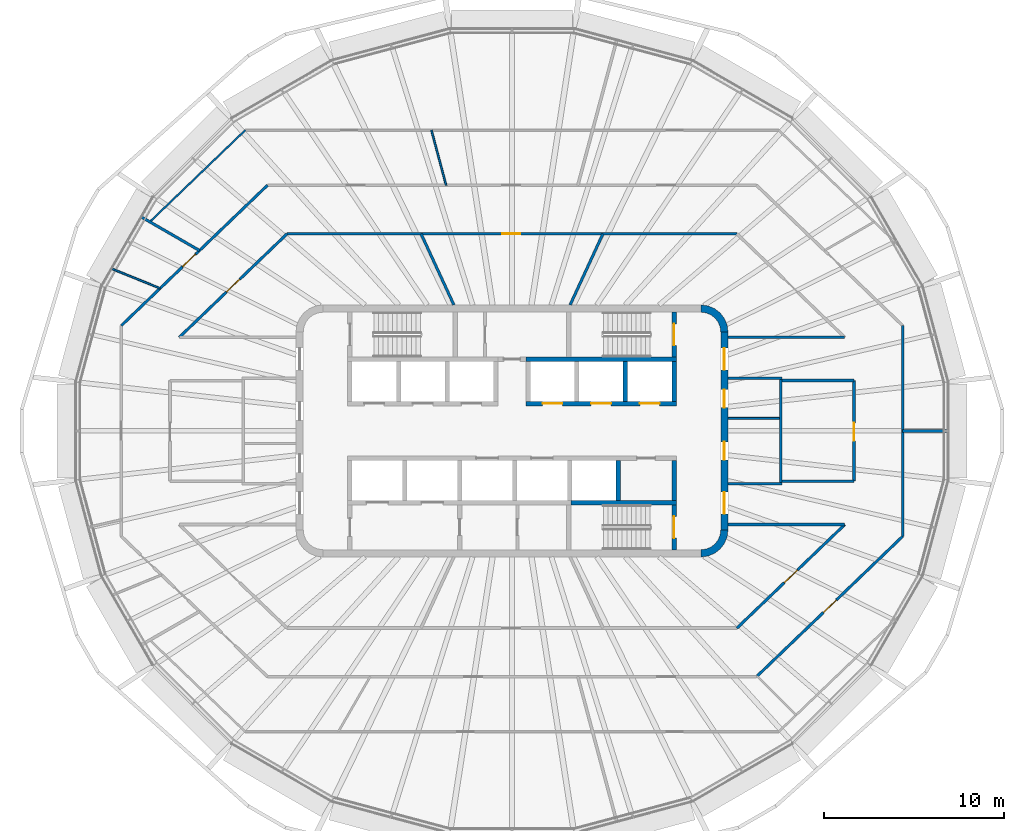
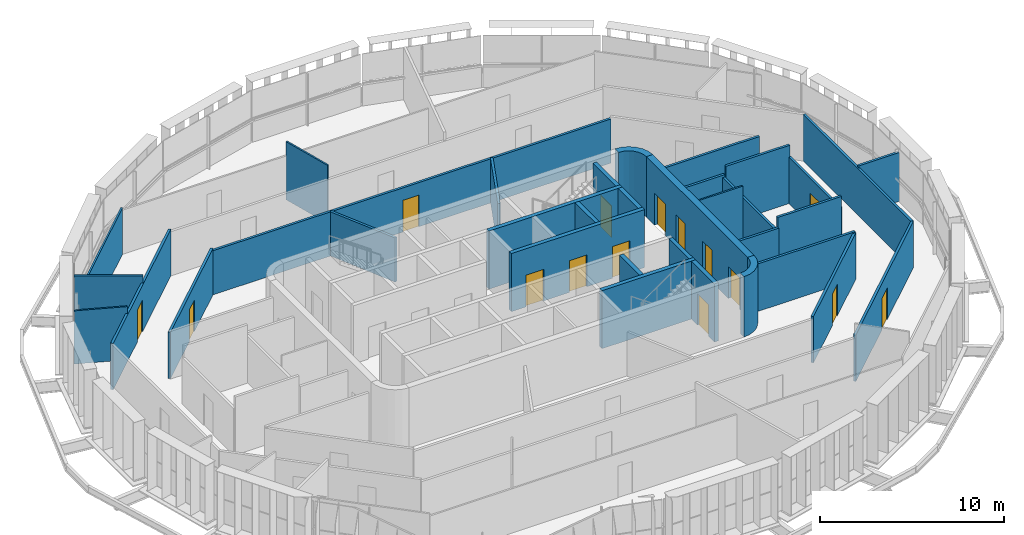
# One storey, part 10 of 18: 34 walls, 15 doors, 15 openings.
"""IFC4 building model written with IfcOpenShell, lengths in metres."""

from ifc_helpers import new_model, si_unit, direction, frame, frame_2d, origin, place, context, subcontext, project, spatial, polyline, rectangle, outline, extrude, material, layer, layer_set, type_object, element, fill, save


model = new_model("IFC4")

# Units and contexts
model_context = context("Model", 3, precision=1e-05, world=origin(), true_north=direction((0.0, 1.0)))
body_context = subcontext(model_context, "Body", "Model", "MODEL_VIEW")
ifc_project = project(units=[si_unit("LENGTHUNIT", "METRE"), si_unit("AREAUNIT", "SQUARE_METRE"), si_unit("VOLUMEUNIT", "CUBIC_METRE"), si_unit("PLANEANGLEUNIT", "RADIAN"), si_unit("MASSUNIT", "GRAM", prefix="KILO")], contexts=[model_context])

# Site, building, storey
site_placement = place(None, origin())
site = spatial("IfcSite", under=ifc_project, at=site_placement, CompositionType="ELEMENT")
building_placement = place(site_placement, origin())
building = spatial("IfcBuilding", under=site, at=building_placement, Name="Sahrelin Media Tower", CompositionType="ELEMENT")
storey_placement = place(building_placement, frame((0.0, 0.0, 320.39990234375)))
storey = spatial("IfcBuildingStorey", under=building, at=storey_placement, Name="L71", CompositionType="ELEMENT", Elevation=320.39990234375)

# Wall, openings, doors
ifc_material_1 = material(Name="Concrete C60/75", Category="concrete")
ifc_layer_1 = layer(ifc_material_1, 0.39990234375)
ifc_layer_set_1 = layer_set([ifc_layer_1], Name="Core wall 400")
wall_type_1 = type_object("IfcWallType", Name="Core wall 400", PredefinedType="SHEAR", material=ifc_layer_set_1)
wall_1_placement = place(storey_placement, frame((11.800048828125, -5.5, 0.0), z_axis=(0.0, 0.0, 1.0), x_axis=(0.0, 1.0, 0.0)))
wall_1 = element("IfcWall", 1, at=wall_1_placement, inside=storey, type_object=wall_type_1, Name="Core wall E L71", PredefinedType="SHEAR", context=body_context, shape_type="SweptSolid", body=[
    extrude(rectangle(XDim=11.0, YDim=0.39990234375, at=frame_2d((5.5, 0.0))), origin(), (0.0, 0.0, 1.0), 4.0),
])
opening_1_placement = place(wall_1_placement, frame((3.89990234375, 0.0, 0.0)))
opening_1 = element("IfcOpeningElement", 2, at=opening_1_placement, cuts=wall_1, Name="Opening L71-D12", PredefinedType="OPENING", context=body_context, shape_type="SweptSolid", body=[
    extrude(rectangle(XDim=1.0, YDim=2.10009765625, at=frame_2d((0.5, 1.050048828125))), frame((0.0, 0.199951171875, 0.0), z_axis=(0.0, -1.0, 0.0), x_axis=(1.0, 0.0, 0.0)), (0.0, 0.0, 1.0), 0.39990234375),
])
opening_2_placement = place(wall_1_placement, frame((6.800048828125, 0.0, 0.0)))
opening_2 = element("IfcOpeningElement", 3, at=opening_2_placement, cuts=wall_1, Name="Opening L71-D13", PredefinedType="OPENING", context=body_context, shape_type="SweptSolid", body=[
    extrude(rectangle(XDim=1.0, YDim=2.10009765625, at=frame_2d((0.5, 1.050048828125))), frame((0.0, 0.199951171875, 0.0), z_axis=(0.0, -1.0, 0.0), x_axis=(1.0, 0.0, 0.0)), (0.0, 0.0, 1.0), 0.39990234375),
])
opening_3_placement = place(wall_1_placement, frame((0.89990234375, 0.0, 0.0)))
opening_3 = element("IfcOpeningElement", 4, at=opening_3_placement, cuts=wall_1, Name="Opening L71-D16", PredefinedType="OPENING", context=body_context, shape_type="SweptSolid", body=[
    extrude(rectangle(XDim=1.199951171875, YDim=2.10009765625, at=frame_2d((0.60009765625, 1.050048828125))), frame((0.0, 0.199951171875, 0.0), z_axis=(0.0, -1.0, 0.0), x_axis=(1.0, 0.0, 0.0)), (0.0, 0.0, 1.0), 0.39990234375),
])
opening_4_placement = place(wall_1_placement, frame((8.89990234375, 0.0, 0.0)))
opening_4 = element("IfcOpeningElement", 5, at=opening_4_placement, cuts=wall_1, Name="Opening L71-D17", PredefinedType="OPENING", context=body_context, shape_type="SweptSolid", body=[
    extrude(rectangle(XDim=1.199951171875, YDim=2.10009765625, at=frame_2d((0.60009765625, 1.050048828125))), frame((0.0, 0.199951171875, 0.0), z_axis=(0.0, -1.0, 0.0), x_axis=(1.0, 0.0, 0.0)), (0.0, 0.0, 1.0), 0.39990234375),
])
ifc_material_2 = material(Name="Steel fire door leaf", Category="steel")
door_type_1 = type_object("IfcDoorType", Name="Fire door 1000 x 2100 EI 60", OperationType="NOTDEFINED", PredefinedType="DOOR", material=ifc_material_2)
door_1_placement = place(opening_1_placement, origin())
door_1 = element("IfcDoor", 6, at=door_1_placement, inside=storey, type_object=door_type_1, Name="Core room door", OperationType="SINGLE_SWING_RIGHT", OverallHeight=2.10009765625, OverallWidth=1.0, PredefinedType="DOOR", context=body_context, shape_type="SweptSolid", body=[
    extrude(rectangle(XDim=1.0, YDim=2.10009765625, at=frame_2d((0.5, 1.050048828125))), frame((0.0, 0.02490234375, 0.0), z_axis=(0.0, -1.0, 0.0), x_axis=(1.0, 0.0, 0.0)), (0.0, 0.0, 1.0), 0.050048828125),
])
fill(opening_1, door_1)
door_2_placement = place(opening_2_placement, origin())
door_2 = element("IfcDoor", 7, at=door_2_placement, inside=storey, type_object=door_type_1, Name="Core room door", OperationType="SINGLE_SWING_RIGHT", OverallHeight=2.10009765625, OverallWidth=1.0, PredefinedType="DOOR", context=body_context, shape_type="SweptSolid", body=[
    extrude(rectangle(XDim=1.0, YDim=2.10009765625, at=frame_2d((0.5, 1.050048828125))), frame((0.0, 0.02490234375, 0.0), z_axis=(0.0, -1.0, 0.0), x_axis=(1.0, 0.0, 0.0)), (0.0, 0.0, 1.0), 0.050048828125),
])
fill(opening_2, door_2)
door_type_2 = type_object("IfcDoorType", Name="Lobby door 1200 x 2100 EI 60", OperationType="NOTDEFINED", PredefinedType="DOOR", material=ifc_material_2)
door_3_placement = place(opening_3_placement, origin())
door_3 = element("IfcDoor", 8, at=door_3_placement, inside=storey, type_object=door_type_2, Name="Lobby door", OperationType="SINGLE_SWING_LEFT", OverallHeight=2.10009765625, OverallWidth=1.199951171875, PredefinedType="DOOR", context=body_context, shape_type="SweptSolid", body=[
    extrude(rectangle(XDim=1.199951171875, YDim=2.10009765625, at=frame_2d((0.60009765625, 1.050048828125))), frame((0.0, 0.02490234375, 0.0), z_axis=(0.0, -1.0, 0.0), x_axis=(1.0, 0.0, 0.0)), (0.0, 0.0, 1.0), 0.050048828125),
])
fill(opening_3, door_3)
door_4_placement = place(opening_4_placement, origin())
door_4 = element("IfcDoor", 9, at=door_4_placement, inside=storey, type_object=door_type_2, Name="Lobby door", OperationType="SINGLE_SWING_LEFT", OverallHeight=2.10009765625, OverallWidth=1.199951171875, PredefinedType="DOOR", context=body_context, shape_type="SweptSolid", body=[
    extrude(rectangle(XDim=1.199951171875, YDim=2.10009765625, at=frame_2d((0.60009765625, 1.050048828125))), frame((0.0, 0.02490234375, 0.0), z_axis=(0.0, -1.0, 0.0), x_axis=(1.0, 0.0, 0.0)), (0.0, 0.0, 1.0), 0.050048828125),
])
fill(opening_4, door_4)

# Walls
placement = place(storey_placement, origin())
element("IfcWall", 10, at=placement, inside=storey, type_object=wall_type_1, Name="Core wall corner NE L71", PredefinedType="SHEAR", context=body_context, shape_type="SweptSolid", body=[
    extrude(outline(polyline([(10.5, 7.0), (10.5, 6.596435546875), (10.78369140625, 6.55908203125), (11.04833984375, 6.44970703125), (11.275390625, 6.275390625), (11.44970703125, 6.04833984375), (11.55908203125, 5.78369140625), (11.596435546875, 5.5), (12.0, 5.5), (11.948974609375, 5.88818359375), (11.799072265625, 6.25), (11.560791015625, 6.560791015625), (11.25, 6.799072265625), (10.88818359375, 6.948974609375), (10.5, 7.0)])), origin(), (0.0, 0.0, 1.0), 4.0),
])
element("IfcWall", 11, at=placement, inside=storey, type_object=wall_type_1, Name="Core wall corner SE L71", PredefinedType="SHEAR", context=body_context, shape_type="SweptSolid", body=[
    extrude(outline(polyline([(12.0, -5.5), (11.596435546875, -5.5), (11.55908203125, -5.78369140625), (11.44970703125, -6.04833984375), (11.275390625, -6.275390625), (11.04833984375, -6.44970703125), (10.78369140625, -6.55908203125), (10.5, -6.596435546875), (10.5, -7.0), (10.88818359375, -6.948974609375), (11.25, -6.799072265625), (11.560791015625, -6.560791015625), (11.799072265625, -6.25), (11.948974609375, -5.88818359375), (12.0, -5.5)])), origin(), (0.0, 0.0, 1.0), 4.0),
])
ifc_material_3 = material(Name="Fire-rated gypsum board partition")
ifc_layer_2 = layer(ifc_material_3, 0.10009765625)
ifc_layer_set_2 = layer_set([ifc_layer_2], Name="Fire-rated partition 100")
wall_type_2 = type_object("IfcWallType", Name="Fire-rated partition 100", PredefinedType="PARTITIONING", material=ifc_layer_set_2)
wall_4_placement = place(storey_placement, frame((12.0, 0.699951171875, 0.0), z_axis=(0.0, 0.0, 1.0), x_axis=(1.0, 0.0, 0.0)))
element("IfcWall", 12, at=wall_4_placement, inside=storey, type_object=wall_type_2, Name="Core room partition", PredefinedType="PARTITIONING", context=body_context, shape_type="SweptSolid", body=[
    extrude(rectangle(XDim=2.85009765625, YDim=0.10009765625, at=frame_2d((1.425048828125, 0.0))), origin(), (0.0, 0.0, 1.0), 3.85009765625),
])
ifc_layer_3 = layer(ifc_material_3, 0.14990234375)
ifc_layer_set_3 = layer_set([ifc_layer_3], Name="Fire-rated partition 150")
wall_type_3 = type_object("IfcWallType", Name="Fire-rated partition 150", PredefinedType="PARTITIONING", material=ifc_layer_set_3)
wall_5_placement = place(storey_placement, frame((14.925048828125, -2.85009765625, 0.0), z_axis=(0.0, 0.0, 1.0), x_axis=(0.0, 1.0, 0.0)))
element("IfcWall", 13, at=wall_5_placement, inside=storey, type_object=wall_type_3, Name="Core room fire partition", PredefinedType="PARTITIONING", context=body_context, shape_type="SweptSolid", body=[
    extrude(rectangle(XDim=5.7001953125, YDim=0.14990234375, at=frame_2d((2.85009765625, 0.0))), origin(), (0.0, 0.0, 1.0), 3.076171875),
])
for number, where, z_axis, x_axis, name in (
    (14, (12.0, 2.925048828125, 0.0), (0.0, 0.0, 1.0), (1.0, 0.0, 0.0), "Core room fire partition"),
    (15, (12.0, -2.925048828125, 0.0), (0.0, 0.0, 1.0), (1.0, 0.0, 0.0), "Core room fire partition"),
):
    element("IfcWall", number, at=place(storey_placement, frame(where, z_axis=z_axis, x_axis=x_axis)), inside=storey, type_object=wall_type_3, Name=name, PredefinedType="PARTITIONING", context=body_context, shape_type="SweptSolid", body=[
        extrude(rectangle(XDim=3.0, YDim=0.14990234375, at=frame_2d((1.5, 0.0))), origin(), (0.0, 0.0, 1.0), 3.2275390625),
    ])
wall_6_placement = place(storey_placement, frame((-5.050048828125, 10.948974609375, 0.0), z_axis=(0.0, 0.0, 1.0), x_axis=(0.418762657012, -0.908095720226, 0.0)))
element("IfcWall", 16, at=wall_6_placement, inside=storey, type_object=wall_type_3, Name="Wall", PredefinedType="PARTITIONING", context=body_context, shape_type="SweptSolid", body=[
    extrude(rectangle(XDim=4.3486328125, YDim=0.14990234375, at=frame_2d((2.17431640625, 0.0))), origin(), (0.0, 0.0, 1.0), 2.927001953125),
])
wall_7_placement = place(storey_placement, frame((-20.597900390625, 11.89208984375, 0.0), z_axis=(0.0, 0.0, 1.0), x_axis=(0.866210589025, -0.499679112493, 0.0)))
element("IfcWall", 17, at=wall_7_placement, inside=storey, type_object=wall_type_3, Name="Wall", PredefinedType="PARTITIONING", context=body_context, shape_type="SweptSolid", body=[
    extrude(rectangle(XDim=3.73876953125, YDim=0.14990234375, at=frame_2d((1.869384765625, 0.0))), origin(), (0.0, 0.0, 1.0), 3.526611328125),
])
wall_8_placement = place(storey_placement, frame((12.0, -5.199951171875, 0.0), z_axis=(0.0, 0.0, 1.0), x_axis=(1.0, 0.0, 0.0)))
element("IfcWall", 18, at=wall_8_placement, inside=storey, type_object=wall_type_3, Name="Wall", PredefinedType="PARTITIONING", context=body_context, shape_type="SweptSolid", body=[
    extrude(rectangle(XDim=6.48388671875, YDim=0.14990234375, at=frame_2d((3.241943359375, 0.0))), origin(), (0.0, 0.0, 1.0), 3.152099609375),
])
wall_9_placement = place(storey_placement, frame((15.0, -2.800048828125, 0.0), z_axis=(0.0, 0.0, 1.0), x_axis=(1.0, 0.0, 0.0)))
element("IfcWall", 19, at=wall_9_placement, inside=storey, type_object=wall_type_3, Name="Wall", PredefinedType="PARTITIONING", context=body_context, shape_type="SweptSolid", body=[
    extrude(rectangle(XDim=4.0, YDim=0.14990234375, at=frame_2d((2.0, 0.0))), origin(), (0.0, 0.0, 1.0), 3.85009765625),
])
wall_10_placement = place(storey_placement, frame((21.699951171875, 0.0, 0.0), z_axis=(0.0, 0.0, 1.0), x_axis=(1.0, 0.0, 0.0)))
element("IfcWall", 20, at=wall_10_placement, inside=storey, type_object=wall_type_3, Name="Wall", PredefinedType="PARTITIONING", context=body_context, shape_type="SweptSolid", body=[
    extrude(rectangle(XDim=2.54296875, YDim=0.14990234375, at=frame_2d((1.271484375, 0.0))), origin(), (0.0, 0.0, 1.0), 3.2275390625),
])
wall_11_placement = place(storey_placement, frame((15.0, 2.800048828125, 0.0), z_axis=(0.0, 0.0, 1.0), x_axis=(1.0, 0.0, 0.0)))
element("IfcWall", 21, at=wall_11_placement, inside=storey, type_object=wall_type_3, Name="Wall", PredefinedType="PARTITIONING", context=body_context, shape_type="SweptSolid", body=[
    extrude(rectangle(XDim=4.0, YDim=0.14990234375, at=frame_2d((2.0, 0.0))), origin(), (0.0, 0.0, 1.0), 3.85009765625),
])
wall_12_placement = place(storey_placement, frame((12.0, 5.199951171875, 0.0), z_axis=(0.0, 0.0, 1.0), x_axis=(1.0, 0.0, 0.0)))
element("IfcWall", 22, at=wall_12_placement, inside=storey, type_object=wall_type_3, Name="Wall", PredefinedType="PARTITIONING", context=body_context, shape_type="SweptSolid", body=[
    extrude(rectangle(XDim=6.48388671875, YDim=0.14990234375, at=frame_2d((3.241943359375, 0.0))), origin(), (0.0, 0.0, 1.0), 3.152099609375),
])

# Wall, opening, door
wall_13_placement = place(storey_placement, frame((-12.498046875, 10.948974609375, 0.0), z_axis=(0.0, 0.0, 1.0), x_axis=(1.0, 0.0, 0.0)))
wall_13 = element("IfcWall", 23, at=wall_13_placement, inside=storey, type_object=wall_type_3, Name="Wall", PredefinedType="PARTITIONING", context=body_context, shape_type="SweptSolid", body=[
    extrude(rectangle(XDim=24.99609375, YDim=0.14990234375, at=frame_2d((12.498046875, 0.0))), origin(), (0.0, 0.0, 1.0), 2.927001953125),
])
opening_5_placement = place(wall_13_placement, frame((11.947998046875, 0.0, 0.0)))
opening_5 = element("IfcOpeningElement", 24, at=opening_5_placement, cuts=wall_13, Name="Opening L71-D23", PredefinedType="OPENING", context=body_context, shape_type="SweptSolid", body=[
    extrude(rectangle(XDim=1.0, YDim=2.10009765625, at=frame_2d((0.5, 1.050048828125))), frame((0.0, 0.074951171875, 0.0), z_axis=(0.0, -1.0, 0.0), x_axis=(1.0, 0.0, 0.0)), (0.0, 0.0, 1.0), 0.14990234375),
])
door_5_placement = place(opening_5_placement, origin())
door_5 = element("IfcDoor", 25, at=door_5_placement, inside=storey, type_object=door_type_1, Name="Fire door", OperationType="SINGLE_SWING_LEFT", OverallHeight=2.10009765625, OverallWidth=1.0, PredefinedType="DOOR", context=body_context, shape_type="SweptSolid", body=[
    extrude(rectangle(XDim=1.0, YDim=2.10009765625, at=frame_2d((0.5, 1.050048828125))), frame((0.0, 0.02490234375, 0.0), z_axis=(0.0, -1.0, 0.0), x_axis=(1.0, 0.0, 0.0)), (0.0, 0.0, 1.0), 0.050048828125),
])
fill(opening_5, door_5)

wall_14_placement = place(storey_placement, frame((13.616943359375, -13.616943359375, 0.0), z_axis=(0.0, 0.0, 1.0), x_axis=(0.721264539741, 0.692659702677, 0.0)))
wall_14 = element("IfcWall", 26, at=wall_14_placement, inside=storey, type_object=wall_type_3, Name="Wall", PredefinedType="PARTITIONING", context=body_context, shape_type="SweptSolid", body=[
    extrude(rectangle(XDim=11.206298828125, YDim=0.14990234375, at=frame_2d((5.60302734375, 0.0))), origin(), (0.0, 0.0, 1.0), 3.076171875),
])
opening_6_placement = place(wall_14_placement, frame((5.10400390625, 0.0, 0.0)))
opening_6 = element("IfcOpeningElement", 27, at=opening_6_placement, cuts=wall_14, Name="Opening L71-D40", PredefinedType="OPENING", context=body_context, shape_type="SweptSolid", body=[
    extrude(rectangle(XDim=1.0, YDim=2.10009765625, at=frame_2d((0.5, 1.050048828125))), frame((0.0, 0.074951171875, 0.0), z_axis=(0.0, -1.0, 0.0), x_axis=(1.0, 0.0, 0.0)), (0.0, 0.0, 1.0), 0.14990234375),
])
door_6_placement = place(opening_6_placement, origin())
door_6 = element("IfcDoor", 28, at=door_6_placement, inside=storey, type_object=door_type_1, Name="Fire door", OperationType="SINGLE_SWING_LEFT", OverallHeight=2.10009765625, OverallWidth=1.0, PredefinedType="DOOR", context=body_context, shape_type="SweptSolid", body=[
    extrude(rectangle(XDim=1.0, YDim=2.10009765625, at=frame_2d((0.5, 1.050048828125))), frame((0.0, 0.02490234375, 0.0), z_axis=(0.0, -1.0, 0.0), x_axis=(1.0, 0.0, 0.0)), (0.0, 0.0, 1.0), 0.050048828125),
])
fill(opening_6, door_6)

wall_15_placement = place(storey_placement, frame((12.498046875, -10.948974609375, 0.0), z_axis=(0.0, 0.0, 1.0), x_axis=(0.721258572397, 0.692665916401, 0.0)))
wall_15 = element("IfcWall", 29, at=wall_15_placement, inside=storey, type_object=wall_type_3, Name="Wall", PredefinedType="PARTITIONING", context=body_context, shape_type="SweptSolid", body=[
    extrude(rectangle(XDim=8.299560546875, YDim=0.14990234375, at=frame_2d((4.14990234375, 0.0))), origin(), (0.0, 0.0, 1.0), 3.076171875),
])
opening_7_placement = place(wall_15_placement, frame((3.6494140625, 0.0, 0.0)))
opening_7 = element("IfcOpeningElement", 30, at=opening_7_placement, cuts=wall_15, Name="Opening L71-D20", PredefinedType="OPENING", context=body_context, shape_type="SweptSolid", body=[
    extrude(rectangle(XDim=1.0, YDim=2.10009765625, at=frame_2d((0.5, 1.050048828125))), frame((0.0, 0.074951171875, 0.0), z_axis=(0.0, -1.0, 0.0), x_axis=(1.0, 0.0, 0.0)), (0.0, 0.0, 1.0), 0.14990234375),
])
door_7_placement = place(opening_7_placement, origin())
door_7 = element("IfcDoor", 31, at=door_7_placement, inside=storey, type_object=door_type_1, Name="Fire door", OperationType="SINGLE_SWING_LEFT", OverallHeight=2.10009765625, OverallWidth=1.0, PredefinedType="DOOR", context=body_context, shape_type="SweptSolid", body=[
    extrude(rectangle(XDim=1.0, YDim=2.10009765625, at=frame_2d((0.5, 1.050048828125))), frame((0.0, 0.02490234375, 0.0), z_axis=(0.0, -1.0, 0.0), x_axis=(1.0, 0.0, 0.0)), (0.0, 0.0, 1.0), 0.050048828125),
])
fill(opening_7, door_7)

wall_16_placement = place(storey_placement, frame((-18.48388671875, 5.199951171875, 0.0), z_axis=(0.0, 0.0, 1.0), x_axis=(0.721243876402, 0.692681218709, 0.0)))
wall_16 = element("IfcWall", 32, at=wall_16_placement, inside=storey, type_object=wall_type_3, Name="Wall", PredefinedType="PARTITIONING", context=body_context, shape_type="SweptSolid", body=[
    extrude(rectangle(XDim=8.299560546875, YDim=0.14990234375, at=frame_2d((4.14990234375, 0.0))), origin(), (0.0, 0.0, 1.0), 3.076171875),
])
opening_8_placement = place(wall_16_placement, frame((3.650146484375, 0.0, 0.0)))
opening_8 = element("IfcOpeningElement", 33, at=opening_8_placement, cuts=wall_16, Name="Opening L71-D24", PredefinedType="OPENING", context=body_context, shape_type="SweptSolid", body=[
    extrude(rectangle(XDim=1.0, YDim=2.10009765625, at=frame_2d((0.5, 1.050048828125))), frame((0.0, 0.074951171875, 0.0), z_axis=(0.0, -1.0, 0.0), x_axis=(1.0, 0.0, 0.0)), (0.0, 0.0, 1.0), 0.14990234375),
])
door_8_placement = place(opening_8_placement, origin())
door_8 = element("IfcDoor", 34, at=door_8_placement, inside=storey, type_object=door_type_1, Name="Fire door", OperationType="SINGLE_SWING_RIGHT", OverallHeight=2.10009765625, OverallWidth=1.0, PredefinedType="DOOR", context=body_context, shape_type="SweptSolid", body=[
    extrude(rectangle(XDim=1.0, YDim=2.10009765625, at=frame_2d((0.5, 1.050048828125))), frame((0.0, 0.02490234375, 0.0), z_axis=(0.0, -1.0, 0.0), x_axis=(1.0, 0.0, 0.0)), (0.0, 0.0, 1.0), 0.050048828125),
])
fill(opening_8, door_8)

wall_17_placement = place(storey_placement, frame((-21.699951171875, 5.85498046875, 0.0), z_axis=(0.0, 0.0, 1.0), x_axis=(0.721260272646, 0.692664145963, 0.0)))
wall_17 = element("IfcWall", 35, at=wall_17_placement, inside=storey, type_object=wall_type_3, Name="Wall", PredefinedType="PARTITIONING", context=body_context, shape_type="SweptSolid", body=[
    extrude(rectangle(XDim=11.25244140625, YDim=0.14990234375, at=frame_2d((5.626220703125, 0.0))), origin(), (0.0, 0.0, 1.0), 3.076171875),
])
opening_9_placement = place(wall_17_placement, frame((4.722900390625, 0.0, 0.0)))
opening_9 = element("IfcOpeningElement", 36, at=opening_9_placement, cuts=wall_17, Name="Opening L71-D32", PredefinedType="OPENING", context=body_context, shape_type="SweptSolid", body=[
    extrude(rectangle(XDim=1.0, YDim=2.10009765625, at=frame_2d((0.5, 1.050048828125))), frame((0.0, 0.074951171875, 0.0), z_axis=(0.0, -1.0, 0.0), x_axis=(1.0, 0.0, 0.0)), (0.0, 0.0, 1.0), 0.14990234375),
])
door_9_placement = place(opening_9_placement, origin())
door_9 = element("IfcDoor", 37, at=door_9_placement, inside=storey, type_object=door_type_1, Name="Fire door", OperationType="SINGLE_SWING_LEFT", OverallHeight=2.10009765625, OverallWidth=1.0, PredefinedType="DOOR", context=body_context, shape_type="SweptSolid", body=[
    extrude(rectangle(XDim=1.0, YDim=2.10009765625, at=frame_2d((0.5, 1.050048828125))), frame((0.0, 0.02490234375, 0.0), z_axis=(0.0, -1.0, 0.0), x_axis=(1.0, 0.0, 0.0)), (0.0, 0.0, 1.0), 0.050048828125),
])
fill(opening_9, door_9)

# Walls
wall_18_placement = place(storey_placement, frame((3.22900390625, 7.0, 0.0), z_axis=(0.0, 0.0, 1.0), x_axis=(0.418762657012, 0.908095720226, 0.0)))
element("IfcWall", 38, at=wall_18_placement, inside=storey, type_object=wall_type_3, Name="Wall", PredefinedType="PARTITIONING", context=body_context, shape_type="SweptSolid", body=[
    extrude(rectangle(XDim=4.3486328125, YDim=0.14990234375, at=frame_2d((2.17431640625, 0.0))), origin(), (0.0, 0.0, 1.0), 2.927001953125),
])
wall_19_placement = place(storey_placement, frame((21.699951171875, -5.85498046875, 0.0), z_axis=(0.0, 0.0, 1.0), x_axis=(0.0, 1.0, 0.0)))
element("IfcWall", 39, at=wall_19_placement, inside=storey, type_object=wall_type_3, Name="Wall", PredefinedType="PARTITIONING", context=body_context, shape_type="SweptSolid", body=[
    extrude(rectangle(XDim=11.7099609375, YDim=0.14990234375, at=frame_2d((5.85498046875, 0.0))), origin(), (0.0, 0.0, 1.0), 3.076171875),
])

# Wall, opening, door
wall_20_placement = place(storey_placement, frame((19.0, -2.7900390625, 0.0), z_axis=(0.0, 0.0, 1.0), x_axis=(0.0, 1.0, 0.0)))
wall_20 = element("IfcWall", 40, at=wall_20_placement, inside=storey, type_object=wall_type_3, Name="Wall", PredefinedType="PARTITIONING", context=body_context, shape_type="SweptSolid", body=[
    extrude(rectangle(XDim=5.580078125, YDim=0.14990234375, at=frame_2d((2.7900390625, 0.0))), origin(), (0.0, 0.0, 1.0), 3.076171875),
])
opening_10_placement = place(wall_20_placement, frame((2.23876953125, 0.0, 0.0)))
opening_10 = element("IfcOpeningElement", 41, at=opening_10_placement, cuts=wall_20, Name="Opening L71-D21", PredefinedType="OPENING", context=body_context, shape_type="SweptSolid", body=[
    extrude(rectangle(XDim=1.0, YDim=2.10009765625, at=frame_2d((0.5, 1.050048828125))), frame((0.0, 0.074951171875, 0.0), z_axis=(0.0, -1.0, 0.0), x_axis=(1.0, 0.0, 0.0)), (0.0, 0.0, 1.0), 0.14990234375),
])
door_10_placement = place(opening_10_placement, origin())
door_10 = element("IfcDoor", 42, at=door_10_placement, inside=storey, type_object=door_type_1, Name="Fire door", OperationType="SINGLE_SWING_RIGHT", OverallHeight=2.10009765625, OverallWidth=1.0, PredefinedType="DOOR", context=body_context, shape_type="SweptSolid", body=[
    extrude(rectangle(XDim=1.0, YDim=2.10009765625, at=frame_2d((0.5, 1.050048828125))), frame((0.0, 0.02490234375, 0.0), z_axis=(0.0, -1.0, 0.0), x_axis=(1.0, 0.0, 0.0)), (0.0, 0.0, 1.0), 0.050048828125),
])
fill(opening_10, door_10)

# Wall, openings, doors
ifc_layer_4 = layer(ifc_material_1, 0.25)
ifc_layer_set_4 = layer_set([ifc_layer_4], Name="Lift shaft wall 250")
wall_type_4 = type_object("IfcWallType", Name="Lift shaft wall 250", PredefinedType="SOLIDWALL", material=ifc_layer_set_4)
wall_21_placement = place(storey_placement, frame((0.77490234375, 1.52490234375, 0.0), z_axis=(0.0, 0.0, 1.0), x_axis=(1.0, 0.0, 0.0)))
wall_21 = element("IfcWall", 43, at=wall_21_placement, inside=storey, type_object=wall_type_4, Name="Lift shaft wall", PredefinedType="SOLIDWALL", context=body_context, shape_type="SweptSolid", body=[
    extrude(rectangle(XDim=8.35009765625, YDim=0.25, at=frame_2d((4.175048828125, 0.0))), origin(), (0.0, 0.0, 1.0), 3.85009765625),
])
opening_11_placement = place(wall_21_placement, frame((0.925048828125, 0.0, 0.0)))
opening_11 = element("IfcOpeningElement", 44, at=opening_11_placement, cuts=wall_21, Name="Opening L71-LD-HR4", PredefinedType="OPENING", context=body_context, shape_type="SweptSolid", body=[
    extrude(rectangle(XDim=1.10009765625, YDim=2.10009765625, at=frame_2d((0.550048828125, 1.050048828125))), frame((0.0, 0.125, 0.0), z_axis=(0.0, -1.0, 0.0), x_axis=(1.0, 0.0, 0.0)), (0.0, 0.0, 1.0), 0.25),
])
opening_12_placement = place(wall_21_placement, frame((3.625, 0.0, 0.0)))
opening_12 = element("IfcOpeningElement", 45, at=opening_12_placement, cuts=wall_21, Name="Opening L71-LD-HR5", PredefinedType="OPENING", context=body_context, shape_type="SweptSolid", body=[
    extrude(rectangle(XDim=1.10009765625, YDim=2.10009765625, at=frame_2d((0.550048828125, 1.050048828125))), frame((0.0, 0.125, 0.0), z_axis=(0.0, -1.0, 0.0), x_axis=(1.0, 0.0, 0.0)), (0.0, 0.0, 1.0), 0.25),
])
opening_13_placement = place(wall_21_placement, frame((6.324951171875, 0.0, 0.0)))
opening_13 = element("IfcOpeningElement", 46, at=opening_13_placement, cuts=wall_21, Name="Opening L71-LD-HR6", PredefinedType="OPENING", context=body_context, shape_type="SweptSolid", body=[
    extrude(rectangle(XDim=1.10009765625, YDim=2.10009765625, at=frame_2d((0.550048828125, 1.050048828125))), frame((0.0, 0.125, 0.0), z_axis=(0.0, -1.0, 0.0), x_axis=(1.0, 0.0, 0.0)), (0.0, 0.0, 1.0), 0.25),
])
ifc_material_4 = material(Name="Stainless steel", Category="steel")
door_type_3 = type_object("IfcDoorType", Name="Lift landing door 1100 x 2100 EI 120", OperationType="DOUBLE_DOOR_SLIDING", PredefinedType="DOOR", material=ifc_material_4)
door_11_placement = place(opening_11_placement, origin())
door_11 = element("IfcDoor", 47, at=door_11_placement, inside=storey, type_object=door_type_3, Name="Lift landing door HR4", OperationType="DOUBLE_DOOR_SLIDING", OverallHeight=2.10009765625, OverallWidth=1.10009765625, PredefinedType="DOOR", context=body_context, shape_type="SweptSolid", body=[
    extrude(rectangle(XDim=1.10009765625, YDim=2.10009765625, at=frame_2d((0.550048828125, 1.050048828125))), frame((0.0, 0.02490234375, 0.0), z_axis=(0.0, -1.0, 0.0), x_axis=(1.0, 0.0, 0.0)), (0.0, 0.0, 1.0), 0.050048828125),
])
fill(opening_11, door_11)
door_12_placement = place(opening_12_placement, origin())
door_12 = element("IfcDoor", 48, at=door_12_placement, inside=storey, type_object=door_type_3, Name="Lift landing door HR5", OperationType="DOUBLE_DOOR_SLIDING", OverallHeight=2.10009765625, OverallWidth=1.10009765625, PredefinedType="DOOR", context=body_context, shape_type="SweptSolid", body=[
    extrude(rectangle(XDim=1.10009765625, YDim=2.10009765625, at=frame_2d((0.550048828125, 1.050048828125))), frame((0.0, 0.02490234375, 0.0), z_axis=(0.0, -1.0, 0.0), x_axis=(1.0, 0.0, 0.0)), (0.0, 0.0, 1.0), 0.050048828125),
])
fill(opening_12, door_12)
door_13_placement = place(opening_13_placement, origin())
door_13 = element("IfcDoor", 49, at=door_13_placement, inside=storey, type_object=door_type_3, Name="Lift landing door HR6", OperationType="DOUBLE_DOOR_SLIDING", OverallHeight=2.10009765625, OverallWidth=1.10009765625, PredefinedType="DOOR", context=body_context, shape_type="SweptSolid", body=[
    extrude(rectangle(XDim=1.10009765625, YDim=2.10009765625, at=frame_2d((0.550048828125, 1.050048828125))), frame((0.0, 0.02490234375, 0.0), z_axis=(0.0, -1.0, 0.0), x_axis=(1.0, 0.0, 0.0)), (0.0, 0.0, 1.0), 0.050048828125),
])
fill(opening_13, door_13)

# Walls
wall_22_placement = place(storey_placement, frame((0.77490234375, 3.97509765625, 0.0), z_axis=(0.0, 0.0, 1.0), x_axis=(1.0, 0.0, 0.0)))
element("IfcWall", 50, at=wall_22_placement, inside=storey, type_object=wall_type_4, Name="Lift shaft wall", PredefinedType="SOLIDWALL", context=body_context, shape_type="SweptSolid", body=[
    extrude(rectangle(XDim=8.35009765625, YDim=0.25, at=frame_2d((4.175048828125, 0.0))), origin(), (0.0, 0.0, 1.0), 3.85009765625),
])
for number, where, z_axis, x_axis, name in (
    (51, (9.0, 1.64990234375, 0.0), (0.0, 0.0, 1.0), (0.0, 1.0, 0.0), "Lift shaft wall"),
    (52, (6.300048828125, 1.64990234375, 0.0), (0.0, 0.0, 1.0), (0.0, 1.0, 0.0), "Lift shaft wall"),
):
    element("IfcWall", number, at=place(storey_placement, frame(where, z_axis=z_axis, x_axis=x_axis)), inside=storey, type_object=wall_type_4, Name=name, PredefinedType="SOLIDWALL", context=body_context, shape_type="SweptSolid", body=[
        extrude(rectangle(XDim=2.2001953125, YDim=0.25, at=frame_2d((1.10009765625, 0.0))), origin(), (0.0, 0.0, 1.0), 3.85009765625),
    ])
wall_23_placement = place(storey_placement, frame((3.27490234375, -3.97509765625, 0.0), z_axis=(0.0, 0.0, 1.0), x_axis=(1.0, 0.0, 0.0)))
element("IfcWall", 53, at=wall_23_placement, inside=storey, type_object=wall_type_4, Name="Lift shaft wall", PredefinedType="SOLIDWALL", context=body_context, shape_type="SweptSolid", body=[
    extrude(rectangle(XDim=5.85009765625, YDim=0.25, at=frame_2d((2.925048828125, 0.0))), origin(), (0.0, 0.0, 1.0), 3.85009765625),
])
for number, where, z_axis, x_axis, name in (
    (54, (5.89990234375, -3.85009765625, 0.0), (0.0, 0.0, 1.0), (0.0, 1.0, 0.0), "Lift shaft wall"),
    (55, (9.0, -3.85009765625, 0.0), (0.0, 0.0, 1.0), (0.0, 1.0, 0.0), "Lift shaft wall"),
):
    element("IfcWall", number, at=place(storey_placement, frame(where, z_axis=z_axis, x_axis=x_axis)), inside=storey, type_object=wall_type_4, Name=name, PredefinedType="SOLIDWALL", context=body_context, shape_type="SweptSolid", body=[
        extrude(rectangle(XDim=2.2001953125, YDim=0.25, at=frame_2d((1.10009765625, 0.0))), origin(), (0.0, 0.0, 1.0), 3.85009765625),
    ])
ifc_material_5 = material(Name="Gypsum board partition")
ifc_layer_5 = layer(ifc_material_5, 0.10009765625)
ifc_layer_set_5 = layer_set([ifc_layer_5], Name="Partition 100")
wall_type_5 = type_object("IfcWallType", Name="Partition 100", PredefinedType="PARTITIONING", material=ifc_layer_set_5)
wall_24_placement = place(storey_placement, frame((-4.47705078125, 16.708984375, 0.0), z_axis=(0.0, 0.0, 1.0), x_axis=(0.258856780325, -0.965915714377, 0.0)))
element("IfcWall", 56, at=wall_24_placement, inside=storey, type_object=wall_type_5, Name="Wall", PredefinedType="PARTITIONING", context=body_context, shape_type="SweptSolid", body=[
    extrude(rectangle(XDim=3.16796875, YDim=0.10009765625, at=frame_2d((1.583984375, 0.0))), origin(), (0.0, 0.0, 1.0), 3.85009765625),
])
wall_25_placement = place(storey_placement, frame((-22.256103515625, 9.02001953125, 0.0), z_axis=(0.0, 0.0, 1.0), x_axis=(0.926895618022, -0.375319215192, 0.0)))
element("IfcWall", 57, at=wall_25_placement, inside=storey, type_object=wall_type_5, Name="Wall", PredefinedType="PARTITIONING", context=body_context, shape_type="SweptSolid", body=[
    extrude(rectangle(XDim=2.922607421875, YDim=0.10009765625, at=frame_2d((1.46142578125, 0.0))), origin(), (0.0, 0.0, 1.0), 3.526611328125),
])
wall_26_placement = place(storey_placement, frame((-20.118896484375, 11.615966796875, 0.0), z_axis=(0.0, 0.0, 1.0), x_axis=(0.721239348524, 0.692685933263, 0.0)))
element("IfcWall", 58, at=wall_26_placement, inside=storey, type_object=wall_type_5, Name="Wall", PredefinedType="PARTITIONING", context=body_context, shape_type="SweptSolid", body=[
    extrude(rectangle(XDim=7.353271484375, YDim=0.10009765625, at=frame_2d((3.6767578125, 0.0))), origin(), (0.0, 0.0, 1.0), 3.076171875),
])

# Wall, opening, door
ifc_layer_6 = layer(ifc_material_1, 0.25)
ifc_layer_set_6 = layer_set([ifc_layer_6], Name="Stair enclosure wall 250")
wall_type_6 = type_object("IfcWallType", Name="Stair enclosure wall 250", PredefinedType="SOLIDWALL", material=ifc_layer_set_6)
wall_27_placement = place(storey_placement, frame((9.0, 4.10009765625, 0.0), z_axis=(0.0, 0.0, 1.0), x_axis=(0.0, 1.0, 0.0)))
wall_27 = element("IfcWall", 59, at=wall_27_placement, inside=storey, type_object=wall_type_6, Name="Stair enclosure wall", PredefinedType="SOLIDWALL", context=body_context, shape_type="SweptSolid", body=[
    extrude(rectangle(XDim=2.5, YDim=0.25, at=frame_2d((1.25, 0.0))), origin(), (0.0, 0.0, 1.0), 3.85009765625),
])
opening_14_placement = place(wall_27_placement, frame((0.64990234375, 0.0, 0.0)))
opening_14 = element("IfcOpeningElement", 60, at=opening_14_placement, cuts=wall_27, Name="Opening L71-D02", PredefinedType="OPENING", context=body_context, shape_type="SweptSolid", body=[
    extrude(rectangle(XDim=1.199951171875, YDim=2.10009765625, at=frame_2d((0.60009765625, 1.050048828125))), frame((0.0, 0.125, 0.0), z_axis=(0.0, -1.0, 0.0), x_axis=(1.0, 0.0, 0.0)), (0.0, 0.0, 1.0), 0.25),
])
door_type_4 = type_object("IfcDoorType", Name="Stair door 1200 x 2100 EI 120", OperationType="NOTDEFINED", PredefinedType="DOOR", material=ifc_material_2)
door_14_placement = place(opening_14_placement, origin())
door_14 = element("IfcDoor", 61, at=door_14_placement, inside=storey, type_object=door_type_4, Name="Stair door ST3", OperationType="SINGLE_SWING_LEFT", OverallHeight=2.10009765625, OverallWidth=1.199951171875, PredefinedType="DOOR", context=body_context, shape_type="SweptSolid", body=[
    extrude(rectangle(XDim=1.199951171875, YDim=2.10009765625, at=frame_2d((0.60009765625, 1.050048828125))), frame((0.0, 0.02490234375, 0.0), z_axis=(0.0, -1.0, 0.0), x_axis=(1.0, 0.0, 0.0)), (0.0, 0.0, 1.0), 0.050048828125),
])
fill(opening_14, door_14)

wall_28_placement = place(storey_placement, frame((9.0, -6.60009765625, 0.0), z_axis=(0.0, 0.0, 1.0), x_axis=(0.0, 1.0, 0.0)))
wall_28 = element("IfcWall", 62, at=wall_28_placement, inside=storey, type_object=wall_type_6, Name="Stair enclosure wall", PredefinedType="SOLIDWALL", context=body_context, shape_type="SweptSolid", body=[
    extrude(rectangle(XDim=2.5, YDim=0.25, at=frame_2d((1.25, 0.0))), origin(), (0.0, 0.0, 1.0), 3.85009765625),
])
opening_15_placement = place(wall_28_placement, frame((0.64990234375, 0.0, 0.0)))
opening_15 = element("IfcOpeningElement", 63, at=opening_15_placement, cuts=wall_28, Name="Opening L71-D03", PredefinedType="OPENING", context=body_context, shape_type="SweptSolid", body=[
    extrude(rectangle(XDim=1.199951171875, YDim=2.10009765625, at=frame_2d((0.60009765625, 1.050048828125))), frame((0.0, 0.125, 0.0), z_axis=(0.0, -1.0, 0.0), x_axis=(1.0, 0.0, 0.0)), (0.0, 0.0, 1.0), 0.25),
])
door_15_placement = place(opening_15_placement, origin())
door_15 = element("IfcDoor", 64, at=door_15_placement, inside=storey, type_object=door_type_4, Name="Stair door ST2", OperationType="SINGLE_SWING_LEFT", OverallHeight=2.10009765625, OverallWidth=1.199951171875, PredefinedType="DOOR", context=body_context, shape_type="SweptSolid", body=[
    extrude(rectangle(XDim=1.199951171875, YDim=2.10009765625, at=frame_2d((0.60009765625, 1.050048828125))), frame((0.0, 0.02490234375, 0.0), z_axis=(0.0, -1.0, 0.0), x_axis=(1.0, 0.0, 0.0)), (0.0, 0.0, 1.0), 0.050048828125),
])
fill(opening_15, door_15)

save(model, "model.ifc")
